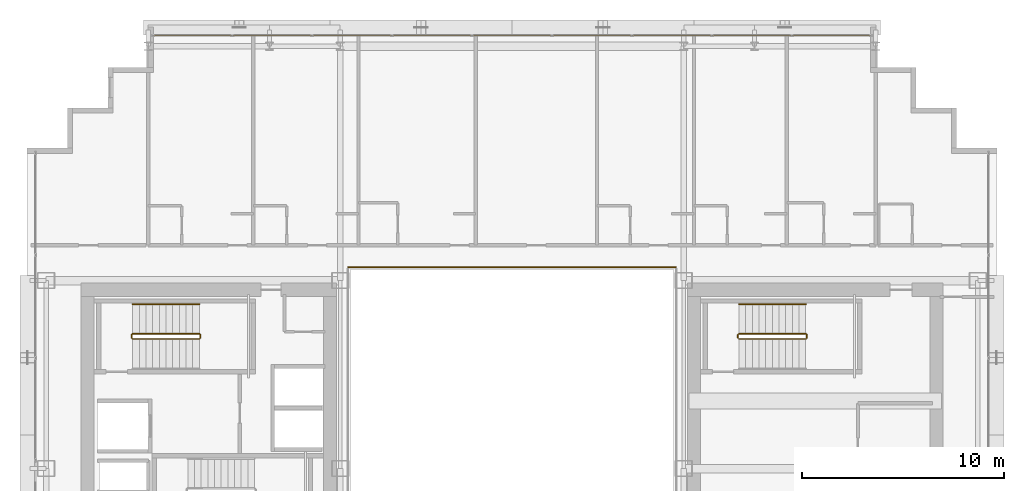
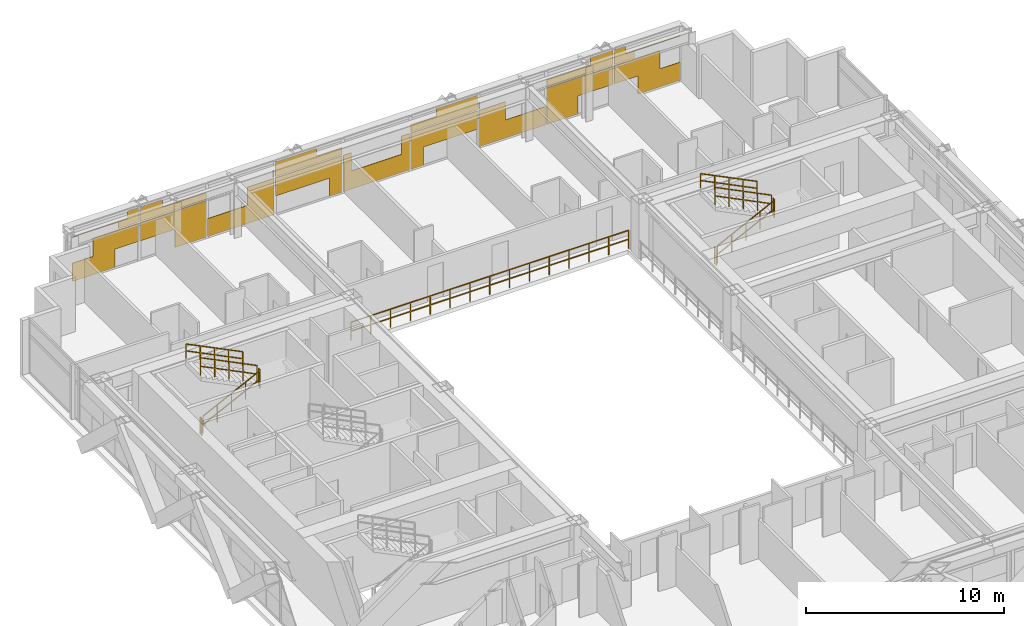
# One storey, part 36 of 36: 11 railings, 1 covering.
"""IFC4 building model written with IfcOpenShell, lengths in metres."""

from ifc_helpers import new_model, si_unit, direction, frame, origin, origin_2d, place, context, subcontext, project, spatial, rectangle, extrude, material, layer, layer_set, type_object, element, save


model = new_model("IFC4")

# Units and contexts
model_context = context("Model", 3, precision=1e-05, world=origin(), true_north=direction((0.0, 1.0)))
body_context = subcontext(model_context, "Body", "Model", "MODEL_VIEW")
ifc_project = project(units=[si_unit("LENGTHUNIT", "METRE"), si_unit("AREAUNIT", "SQUARE_METRE"), si_unit("VOLUMEUNIT", "CUBIC_METRE"), si_unit("PLANEANGLEUNIT", "RADIAN"), si_unit("MASSUNIT", "GRAM", prefix="KILO")], contexts=[model_context])

# Site, building, storey
site_placement = place(None, origin())
site = spatial("IfcSite", under=ifc_project, at=site_placement, CompositionType="ELEMENT")
building_placement = place(site_placement, origin())
building = spatial("IfcBuilding", under=site, at=building_placement, Name="Ocotamira Hotel", CompositionType="ELEMENT")
storey_placement = place(building_placement, frame((0.0, 0.0, 97.199951171875)))
storey = spatial("IfcBuildingStorey", under=building, at=storey_placement, Name="L23", CompositionType="ELEMENT", Elevation=97.199951171875)

# Covering
ifc_material_1 = material(Name="Insulated pale-metal aluminium spandrel panel", Category="aluminium")
ifc_layer = layer(ifc_material_1, 0.044921875)
ifc_layer_set = layer_set([ifc_layer], Name="Insulated pale-metal aluminium spandrel panel")
covering_type = type_object("IfcCoveringType", Name="COV-INFILL-45", PredefinedType="CLADDING", material=ifc_layer_set)
covering_placement = place(storey_placement, origin())
element("IfcCovering", 1, at=covering_placement, inside=storey, type_object=covering_type, Name="L23 Curtain Wall Infill CW-3 CW-L23-N", PredefinedType="CLADDING", context=body_context, shape_type="SweptSolid", body=[
    extrude(rectangle(XDim=2.464111328125, YDim=0.044921875, at=origin_2d()), frame((15.512451171875, 49.580078125, 0.07568359375), z_axis=(0.0, 0.0, 1.0), x_axis=(1.0, 0.0, 0.0)), (0.0, 0.0, 1.0), 1.11767578125),
    extrude(rectangle(XDim=2.650146484375, YDim=0.044921875, at=origin_2d()), frame((16.7900390625, 49.580078125, 1.1943359375), z_axis=(0.0, 0.0, 1.0), x_axis=(1.0, 0.0, 0.0)), (0.0, 0.0, 1.0), 1.117919921875),
    extrude(rectangle(XDim=3.834716796875, YDim=0.044921875, at=origin_2d()), frame((16.19775390625, 49.580078125, 2.78271484375), z_axis=(0.0, 0.0, 1.0), x_axis=(1.0, 0.0, 0.0)), (0.0, 0.0, 1.0), 0.0302734375),
    extrude(rectangle(XDim=1.157958984375, YDim=0.044921875, at=origin_2d()), frame((17.5361328125, 49.580078125, 2.38818359375), z_axis=(0.0, 0.0, 1.0), x_axis=(1.0, 0.0, 0.0)), (0.0, 0.0, 1.0), 0.3935546875),
    extrude(rectangle(XDim=0.625732421875, YDim=0.044921875, at=origin_2d()), frame((17.80224609375, 49.580078125, 2.813720703125), z_axis=(0.0, 0.0, 1.0), x_axis=(1.0, 0.0, 0.0)), (0.0, 0.0, 1.0), 0.470703125),
    extrude(rectangle(XDim=3.87451171875, YDim=0.044921875, at=origin_2d()), frame((20.13330078125, 49.580078125, 1.1943359375), z_axis=(0.0, 0.0, 1.0), x_axis=(1.0, 0.0, 0.0)), (0.0, 0.0, 1.0), 1.117919921875),
    extrude(rectangle(XDim=1.815185546875, YDim=0.044921875, at=origin_2d()), frame((21.1630859375, 49.580078125, 0.07568359375), z_axis=(0.0, 0.0, 1.0), x_axis=(1.0, 0.0, 0.0)), (0.0, 0.0, 1.0), 1.11767578125),
    extrude(rectangle(XDim=3.87451171875, YDim=0.044921875, at=origin_2d()), frame((20.13330078125, 49.580078125, 2.387939453125), z_axis=(0.0, 0.0, 1.0), x_axis=(1.0, 0.0, 0.0)), (0.0, 0.0, 1.0), 0.4248046875),
    extrude(rectangle(XDim=1.314697265625, YDim=0.044921875, at=origin_2d()), frame((18.853515625, 49.580078125, 2.813720703125), z_axis=(0.0, 0.0, 1.0), x_axis=(1.0, 0.0, 0.0)), (0.0, 0.0, 1.0), 0.470703125),
    extrude(rectangle(XDim=3.87451171875, YDim=0.044921875, at=origin_2d()), frame((24.0888671875, 49.580078125, 0.07568359375), z_axis=(0.0, 0.0, 1.0), x_axis=(1.0, 0.0, 0.0)), (0.0, 0.0, 1.0), 1.11767578125),
    extrude(rectangle(XDim=1.561279296875, YDim=0.044921875, at=origin_2d()), frame((25.24560546875, 49.580078125, 1.1943359375), z_axis=(0.0, 0.0, 1.0), x_axis=(1.0, 0.0, 0.0)), (0.0, 0.0, 1.0), 1.117919921875),
    extrude(rectangle(XDim=0.069091796875, YDim=0.044921875, at=origin_2d()), frame((25.99169921875, 49.580078125, 2.387939453125), z_axis=(0.0, 0.0, 1.0), x_axis=(1.0, 0.0, 0.0)), (0.0, 0.0, 1.0), 0.4248046875),
    extrude(rectangle(XDim=3.87451171875, YDim=0.044921875, at=origin_2d()), frame((28.04443359375, 49.580078125, 1.1943359375), z_axis=(0.0, 0.0, 1.0), x_axis=(1.0, 0.0, 0.0)), (0.0, 0.0, 1.0), 1.117919921875),
    extrude(rectangle(XDim=0.726318359375, YDim=0.044921875, at=origin_2d()), frame((29.61865234375, 49.580078125, 0.07568359375), z_axis=(0.0, 0.0, 1.0), x_axis=(1.0, 0.0, 0.0)), (0.0, 0.0, 1.0), 1.11767578125),
    extrude(rectangle(XDim=3.87451171875, YDim=0.044921875, at=origin_2d()), frame((28.04443359375, 49.580078125, 2.387939453125), z_axis=(0.0, 0.0, 1.0), x_axis=(1.0, 0.0, 0.0)), (0.0, 0.0, 1.0), 0.4248046875),
    extrude(rectangle(XDim=2.403564453125, YDim=0.044921875, at=origin_2d()), frame((27.308837890625, 49.580078125, 2.813720703125), z_axis=(0.0, 0.0, 1.0), x_axis=(1.0, 0.0, 0.0)), (0.0, 0.0, 1.0), 0.470703125),
    extrude(rectangle(XDim=3.87451171875, YDim=0.044921875, at=origin_2d()), frame((32.0, 49.580078125, 0.07568359375), z_axis=(0.0, 0.0, 1.0), x_axis=(1.0, 0.0, 0.0)), (0.0, 0.0, 1.0), 1.11767578125),
    extrude(rectangle(XDim=0.472412109375, YDim=0.044921875, at=origin_2d()), frame((30.298828125, 49.580078125, 1.1943359375), z_axis=(0.0, 0.0, 1.0), x_axis=(1.0, 0.0, 0.0)), (0.0, 0.0, 1.0), 1.117919921875),
    extrude(rectangle(XDim=0.472412109375, YDim=0.044921875, at=origin_2d()), frame((33.701171875, 49.580078125, 1.1943359375), z_axis=(0.0, 0.0, 1.0), x_axis=(1.0, 0.0, 0.0)), (0.0, 0.0, 1.0), 1.117919921875),
    extrude(rectangle(XDim=0.726318359375, YDim=0.044921875, at=origin_2d()), frame((34.38134765625, 49.580078125, 0.07568359375), z_axis=(0.0, 0.0, 1.0), x_axis=(1.0, 0.0, 0.0)), (0.0, 0.0, 1.0), 1.11767578125),
    extrude(rectangle(XDim=3.87451171875, YDim=0.044921875, at=origin_2d()), frame((35.95556640625, 49.580078125, 1.1943359375), z_axis=(0.0, 0.0, 1.0), x_axis=(1.0, 0.0, 0.0)), (0.0, 0.0, 1.0), 1.117919921875),
    extrude(rectangle(XDim=3.87451171875, YDim=0.044921875, at=origin_2d()), frame((35.95556640625, 49.580078125, 2.387939453125), z_axis=(0.0, 0.0, 1.0), x_axis=(1.0, 0.0, 0.0)), (0.0, 0.0, 1.0), 0.4248046875),
    extrude(rectangle(XDim=2.403564453125, YDim=0.044921875, at=origin_2d()), frame((36.691162109375, 49.580078125, 2.813720703125), z_axis=(0.0, 0.0, 1.0), x_axis=(1.0, 0.0, 0.0)), (0.0, 0.0, 1.0), 0.470703125),
    extrude(rectangle(XDim=3.87451171875, YDim=0.044921875, at=origin_2d()), frame((39.9111328125, 49.580078125, 0.07568359375), z_axis=(0.0, 0.0, 1.0), x_axis=(1.0, 0.0, 0.0)), (0.0, 0.0, 1.0), 1.11767578125),
    extrude(rectangle(XDim=1.561279296875, YDim=0.044921875, at=origin_2d()), frame((38.75439453125, 49.580078125, 1.1943359375), z_axis=(0.0, 0.0, 1.0), x_axis=(1.0, 0.0, 0.0)), (0.0, 0.0, 1.0), 1.117919921875),
    extrude(rectangle(XDim=0.069091796875, YDim=0.044921875, at=origin_2d()), frame((38.00830078125, 49.580078125, 2.387939453125), z_axis=(0.0, 0.0, 1.0), x_axis=(1.0, 0.0, 0.0)), (0.0, 0.0, 1.0), 0.4248046875),
    extrude(rectangle(XDim=1.815185546875, YDim=0.044921875, at=origin_2d()), frame((42.8369140625, 49.580078125, 0.07568359375), z_axis=(0.0, 0.0, 1.0), x_axis=(1.0, 0.0, 0.0)), (0.0, 0.0, 1.0), 1.11767578125),
    extrude(rectangle(XDim=3.87451171875, YDim=0.044921875, at=origin_2d()), frame((43.86669921875, 49.580078125, 1.1943359375), z_axis=(0.0, 0.0, 1.0), x_axis=(1.0, 0.0, 0.0)), (0.0, 0.0, 1.0), 1.117919921875),
    extrude(rectangle(XDim=3.87451171875, YDim=0.044921875, at=origin_2d()), frame((43.86669921875, 49.580078125, 2.387939453125), z_axis=(0.0, 0.0, 1.0), x_axis=(1.0, 0.0, 0.0)), (0.0, 0.0, 1.0), 0.4248046875),
    extrude(rectangle(XDim=1.314697265625, YDim=0.044921875, at=origin_2d()), frame((45.146484375, 49.580078125, 2.813720703125), z_axis=(0.0, 0.0, 1.0), x_axis=(1.0, 0.0, 0.0)), (0.0, 0.0, 1.0), 0.470703125),
    extrude(rectangle(XDim=2.650146484375, YDim=0.044921875, at=origin_2d()), frame((47.2099609375, 49.580078125, 1.1943359375), z_axis=(0.0, 0.0, 1.0), x_axis=(1.0, 0.0, 0.0)), (0.0, 0.0, 1.0), 1.117919921875),
    extrude(rectangle(XDim=2.464111328125, YDim=0.044921875, at=origin_2d()), frame((48.487548828125, 49.580078125, 0.07568359375), z_axis=(0.0, 0.0, 1.0), x_axis=(1.0, 0.0, 0.0)), (0.0, 0.0, 1.0), 1.11767578125),
    extrude(rectangle(XDim=1.157958984375, YDim=0.044921875, at=origin_2d()), frame((46.4638671875, 49.580078125, 2.38818359375), z_axis=(0.0, 0.0, 1.0), x_axis=(1.0, 0.0, 0.0)), (0.0, 0.0, 1.0), 0.3935546875),
    extrude(rectangle(XDim=3.834716796875, YDim=0.044921875, at=origin_2d()), frame((47.80224609375, 49.580078125, 2.78271484375), z_axis=(0.0, 0.0, 1.0), x_axis=(1.0, 0.0, 0.0)), (0.0, 0.0, 1.0), 0.0302734375),
    extrude(rectangle(XDim=0.625732421875, YDim=0.044921875, at=origin_2d()), frame((46.19775390625, 49.580078125, 2.813720703125), z_axis=(0.0, 0.0, 1.0), x_axis=(1.0, 0.0, 0.0)), (0.0, 0.0, 1.0), 0.470703125),
])

# Railings
ifc_material_2 = material(Name="Painted steel stair guardrail", Category="steel")
railing_type_1 = type_object("IfcRailingType", Name="RL-EDGE-1150", PredefinedType="GUARDRAIL", material=ifc_material_2)
railing_1_placement = place(storey_placement, frame((40.10009765625, 38.1201171875, 0.0)))
element("IfcRailing", 2, at=railing_1_placement, inside=storey, type_object=railing_type_1, Name="L23 Central Atrium Edge Guardrail N", PredefinedType="GUARDRAIL", context=body_context, shape_type="SweptSolid", body=[
    extrude(rectangle(XDim=0.048095703125, YDim=0.048095703125, at=origin_2d()), frame((0.0, 0.0, 1.1259765625), z_axis=(-1.0, 0.0, 0.0), x_axis=(0.0, -1.0, 0.0)), (0.0, 0.0, 1.0), 16.2001953125),
    extrude(rectangle(XDim=0.048095703125, YDim=0.048095703125, at=origin_2d()), frame((0.0, 0.0, 0.574951171875), z_axis=(-1.0, 0.0, 0.0), x_axis=(0.0, -1.0, 0.0)), (0.0, 0.0, 1.0), 16.2001953125),
    extrude(rectangle(XDim=0.0419921875, YDim=0.0419921875, at=origin_2d()), origin(), (0.0, 0.0, 1.0), 1.101806640625),
    extrude(rectangle(XDim=0.0419921875, YDim=0.0419921875, at=origin_2d()), frame((-1.1572265625, 0.0, 0.0)), (0.0, 0.0, 1.0), 1.101806640625),
    extrude(rectangle(XDim=0.0419921875, YDim=0.0419921875, at=origin_2d()), frame((-2.314208984375, 0.0, 0.0)), (0.0, 0.0, 1.0), 1.101806640625),
    extrude(rectangle(XDim=0.0419921875, YDim=0.0419921875, at=origin_2d()), frame((-3.471435546875, 0.0, 0.0)), (0.0, 0.0, 1.0), 1.101806640625),
    extrude(rectangle(XDim=0.0419921875, YDim=0.0419921875, at=origin_2d()), frame((-4.628662109375, 0.0, 0.0)), (0.0, 0.0, 1.0), 1.101806640625),
    extrude(rectangle(XDim=0.0419921875, YDim=0.0419921875, at=origin_2d()), frame((-5.785888671875, 0.0, 0.0)), (0.0, 0.0, 1.0), 1.101806640625),
    extrude(rectangle(XDim=0.0419921875, YDim=0.0419921875, at=origin_2d()), frame((-6.94287109375, 0.0, 0.0)), (0.0, 0.0, 1.0), 1.101806640625),
    extrude(rectangle(XDim=0.0419921875, YDim=0.0419921875, at=origin_2d()), frame((-8.10009765625, 0.0, 0.0)), (0.0, 0.0, 1.0), 1.101806640625),
    extrude(rectangle(XDim=0.0419921875, YDim=0.0419921875, at=origin_2d()), frame((-9.25732421875, 0.0, 0.0)), (0.0, 0.0, 1.0), 1.101806640625),
    extrude(rectangle(XDim=0.0419921875, YDim=0.0419921875, at=origin_2d()), frame((-10.414306640625, 0.0, 0.0)), (0.0, 0.0, 1.0), 1.101806640625),
    extrude(rectangle(XDim=0.0419921875, YDim=0.0419921875, at=origin_2d()), frame((-11.571533203125, 0.0, 0.0)), (0.0, 0.0, 1.0), 1.101806640625),
    extrude(rectangle(XDim=0.0419921875, YDim=0.0419921875, at=origin_2d()), frame((-12.728759765625, 0.0, 0.0)), (0.0, 0.0, 1.0), 1.101806640625),
    extrude(rectangle(XDim=0.0419921875, YDim=0.0419921875, at=origin_2d()), frame((-13.885986328125, 0.0, 0.0)), (0.0, 0.0, 1.0), 1.101806640625),
    extrude(rectangle(XDim=0.0419921875, YDim=0.0419921875, at=origin_2d()), frame((-15.04296875, 0.0, 0.0)), (0.0, 0.0, 1.0), 1.101806640625),
    extrude(rectangle(XDim=0.0419921875, YDim=0.0419921875, at=origin_2d()), frame((-16.2001953125, 0.0, 0.0)), (0.0, 0.0, 1.0), 1.101806640625),
])
ifc_material_3 = material(Name="Brushed stainless steel handrail", Category="steel")
railing_type_2 = type_object("IfcRailingType", Name="RL-HAND-900", PredefinedType="HANDRAIL", material=ifc_material_3)
for number, where, name in (
    (3, (16.530029296875, 36.280029296875, 2.12744140625), "L23 ST-2 stair handrail 2"),
    (4, (46.530029296875, 36.280029296875, 2.12744140625), "L23 ST-4 stair handrail 2"),
):
    element("IfcRailing", number, at=place(storey_placement, frame(where)), inside=storey, type_object=railing_type_2, Name=name, PredefinedType="HANDRAIL", context=body_context, shape_type="SweptSolid", body=[
        extrude(rectangle(XDim=0.048095703125, YDim=0.048095703125, at=origin_2d()), frame((0.0, 0.0, 0.8759765625), z_axis=(-0.895920123917, 0.0, 0.444215186098), x_axis=(0.0, -1.0, 0.0)), (0.0, 0.0, 1.0), 3.683349609375),
        extrude(rectangle(XDim=0.048095703125, YDim=0.048095703125, at=origin_2d()), frame((0.0, 0.0, 0.449951171875), z_axis=(-0.895920123917, 0.0, 0.444215186098), x_axis=(0.0, -1.0, 0.0)), (0.0, 0.0, 1.0), 3.683349609375),
        extrude(rectangle(XDim=0.0419921875, YDim=0.0419921875, at=origin_2d()), origin(), (0.0, 0.0, 1.0), 0.851806640625),
        extrude(rectangle(XDim=0.0419921875, YDim=0.0419921875, at=origin_2d()), frame((-0.824951171875, 0.0, 0.4091796875)), (0.0, 0.0, 1.0), 0.851806640625),
        extrude(rectangle(XDim=0.0419921875, YDim=0.0419921875, at=origin_2d()), frame((-1.64990234375, 0.0, 0.818115234375)), (0.0, 0.0, 1.0), 0.851806640625),
        extrude(rectangle(XDim=0.0419921875, YDim=0.0419921875, at=origin_2d()), frame((-2.47509765625, 0.0, 1.22705078125)), (0.0, 0.0, 1.0), 0.851806640625),
        extrude(rectangle(XDim=0.0419921875, YDim=0.0419921875, at=origin_2d()), frame((-3.300048828125, 0.0, 1.63623046875)), (0.0, 0.0, 1.0), 0.851806640625),
    ])
railing_type_3 = type_object("IfcRailingType", Name="RL-STAIR-1100", PredefinedType="GUARDRAIL", material=ifc_material_2)
railing_2_placement = place(storey_placement, frame((13.22998046875, 34.56005859375, 0.16357421875)))
element("IfcRailing", 5, at=railing_2_placement, inside=storey, type_object=railing_type_3, Name="L23 ST-2 stair guard 1", PredefinedType="GUARDRAIL", context=body_context, shape_type="SweptSolid", body=[
    extrude(rectangle(XDim=0.048095703125, YDim=0.048095703125, at=origin_2d()), frame((0.0, 0.0, 1.076171875), z_axis=(0.895893744519, 0.0, 0.4442683857), x_axis=(0.0, 1.0, 0.0)), (0.0, 0.0, 1.0), 3.68359375),
    extrude(rectangle(XDim=0.048095703125, YDim=0.048095703125, at=origin_2d()), frame((0.0, 0.0, 0.550048828125), z_axis=(0.895893744519, 0.0, 0.4442683857), x_axis=(0.0, 1.0, 0.0)), (0.0, 0.0, 1.0), 3.68359375),
    extrude(rectangle(XDim=0.0419921875, YDim=0.0419921875, at=origin_2d()), origin(), (0.0, 0.0, 1.0), 1.052001953125),
    extrude(rectangle(XDim=0.0419921875, YDim=0.0419921875, at=origin_2d()), frame((0.824951171875, 0.0, 0.4091796875)), (0.0, 0.0, 1.0), 1.052001953125),
    extrude(rectangle(XDim=0.0419921875, YDim=0.0419921875, at=origin_2d()), frame((1.64990234375, 0.0, 0.818359375)), (0.0, 0.0, 1.0), 1.052001953125),
    extrude(rectangle(XDim=0.0419921875, YDim=0.0419921875, at=origin_2d()), frame((2.47509765625, 0.0, 1.227294921875)), (0.0, 0.0, 1.0), 1.052001953125),
    extrude(rectangle(XDim=0.0419921875, YDim=0.0419921875, at=origin_2d()), frame((3.300048828125, 0.0, 1.636474609375)), (0.0, 0.0, 1.0), 1.052001953125),
])
railing_3_placement = place(storey_placement, frame((16.580078125, 34.610107421875, 1.800048828125)))
element("IfcRailing", 6, at=railing_3_placement, inside=storey, type_object=railing_type_3, Name="L23 ST-2 stair guard 2", PredefinedType="GUARDRAIL", context=body_context, shape_type="SweptSolid", body=[
    extrude(rectangle(XDim=0.048095703125, YDim=0.048095703125, at=origin_2d()), frame((0.0, 0.0, 1.076171875), z_axis=(0.0, 1.0, 0.0), x_axis=(-1.0, 0.0, 0.0)), (0.0, 0.0, 1.0), 0.159912109375),
    extrude(rectangle(XDim=0.048095703125, YDim=0.048095703125, at=origin_2d()), frame((0.0, 0.0, 0.550048828125), z_axis=(0.0, 1.0, 0.0), x_axis=(-1.0, 0.0, 0.0)), (0.0, 0.0, 1.0), 0.159912109375),
    extrude(rectangle(XDim=0.0419921875, YDim=0.0419921875, at=origin_2d()), origin(), (0.0, 0.0, 1.0), 1.052001953125),
    extrude(rectangle(XDim=0.0419921875, YDim=0.0419921875, at=origin_2d()), frame((0.0, 0.159912109375, 0.0)), (0.0, 0.0, 1.0), 1.052001953125),
])
railing_4_placement = place(storey_placement, frame((16.530029296875, 34.820068359375, 1.963623046875)))
element("IfcRailing", 7, at=railing_4_placement, inside=storey, type_object=railing_type_3, Name="L23 ST-2 stair guard 3", PredefinedType="GUARDRAIL", context=body_context, shape_type="SweptSolid", body=[
    extrude(rectangle(XDim=0.048095703125, YDim=0.048095703125, at=origin_2d()), frame((0.0, 0.0, 1.076171875), z_axis=(-0.895893744519, 0.0, 0.4442683857), x_axis=(0.0, -1.0, 0.0)), (0.0, 0.0, 1.0), 3.68359375),
    extrude(rectangle(XDim=0.048095703125, YDim=0.048095703125, at=origin_2d()), frame((0.0, 0.0, 0.550048828125), z_axis=(-0.895893744519, 0.0, 0.4442683857), x_axis=(0.0, -1.0, 0.0)), (0.0, 0.0, 1.0), 3.68359375),
    extrude(rectangle(XDim=0.0419921875, YDim=0.0419921875, at=origin_2d()), origin(), (0.0, 0.0, 1.0), 1.052001953125),
    extrude(rectangle(XDim=0.0419921875, YDim=0.0419921875, at=origin_2d()), frame((-0.824951171875, 0.0, 0.4091796875)), (0.0, 0.0, 1.0), 1.052001953125),
    extrude(rectangle(XDim=0.0419921875, YDim=0.0419921875, at=origin_2d()), frame((-1.64990234375, 0.0, 0.818359375)), (0.0, 0.0, 1.0), 1.052001953125),
    extrude(rectangle(XDim=0.0419921875, YDim=0.0419921875, at=origin_2d()), frame((-2.47509765625, 0.0, 1.227294921875)), (0.0, 0.0, 1.0), 1.052001953125),
    extrude(rectangle(XDim=0.0419921875, YDim=0.0419921875, at=origin_2d()), frame((-3.300048828125, 0.0, 1.636474609375)), (0.0, 0.0, 1.0), 1.052001953125),
])
railing_5_placement = place(storey_placement, frame((13.179931640625, 34.610107421875, 0.0)))
element("IfcRailing", 8, at=railing_5_placement, inside=storey, type_object=railing_type_3, Name="L23 ST-2 stair guard 4", PredefinedType="GUARDRAIL", context=body_context, shape_type="SweptSolid", body=[
    extrude(rectangle(XDim=0.048095703125, YDim=0.048095703125, at=origin_2d()), frame((0.0, 0.0, 1.076171875), z_axis=(0.0, 1.0, 0.0), x_axis=(-1.0, 0.0, 0.0)), (0.0, 0.0, 1.0), 0.159912109375),
    extrude(rectangle(XDim=0.048095703125, YDim=0.048095703125, at=origin_2d()), frame((0.0, 0.0, 0.550048828125), z_axis=(0.0, 1.0, 0.0), x_axis=(-1.0, 0.0, 0.0)), (0.0, 0.0, 1.0), 0.159912109375),
    extrude(rectangle(XDim=0.0419921875, YDim=0.0419921875, at=origin_2d()), origin(), (0.0, 0.0, 1.0), 1.052001953125),
    extrude(rectangle(XDim=0.0419921875, YDim=0.0419921875, at=origin_2d()), frame((0.0, 0.159912109375, 0.0)), (0.0, 0.0, 1.0), 1.052001953125),
])
railing_6_placement = place(storey_placement, frame((43.22998046875, 34.56005859375, 0.16357421875)))
element("IfcRailing", 9, at=railing_6_placement, inside=storey, type_object=railing_type_3, Name="L23 ST-4 stair guard 1", PredefinedType="GUARDRAIL", context=body_context, shape_type="SweptSolid", body=[
    extrude(rectangle(XDim=0.048095703125, YDim=0.048095703125, at=origin_2d()), frame((0.0, 0.0, 1.076171875), z_axis=(0.895893744519, 0.0, 0.4442683857), x_axis=(0.0, 1.0, 0.0)), (0.0, 0.0, 1.0), 3.68359375),
    extrude(rectangle(XDim=0.048095703125, YDim=0.048095703125, at=origin_2d()), frame((0.0, 0.0, 0.550048828125), z_axis=(0.895893744519, 0.0, 0.4442683857), x_axis=(0.0, 1.0, 0.0)), (0.0, 0.0, 1.0), 3.68359375),
    extrude(rectangle(XDim=0.0419921875, YDim=0.0419921875, at=origin_2d()), origin(), (0.0, 0.0, 1.0), 1.052001953125),
    extrude(rectangle(XDim=0.0419921875, YDim=0.0419921875, at=origin_2d()), frame((0.824951171875, 0.0, 0.4091796875)), (0.0, 0.0, 1.0), 1.052001953125),
    extrude(rectangle(XDim=0.0419921875, YDim=0.0419921875, at=origin_2d()), frame((1.64990234375, 0.0, 0.818359375)), (0.0, 0.0, 1.0), 1.052001953125),
    extrude(rectangle(XDim=0.0419921875, YDim=0.0419921875, at=origin_2d()), frame((2.47509765625, 0.0, 1.227294921875)), (0.0, 0.0, 1.0), 1.052001953125),
    extrude(rectangle(XDim=0.0419921875, YDim=0.0419921875, at=origin_2d()), frame((3.300048828125, 0.0, 1.636474609375)), (0.0, 0.0, 1.0), 1.052001953125),
])
railing_7_placement = place(storey_placement, frame((46.580078125, 34.610107421875, 1.800048828125)))
element("IfcRailing", 10, at=railing_7_placement, inside=storey, type_object=railing_type_3, Name="L23 ST-4 stair guard 2", PredefinedType="GUARDRAIL", context=body_context, shape_type="SweptSolid", body=[
    extrude(rectangle(XDim=0.048095703125, YDim=0.048095703125, at=origin_2d()), frame((0.0, 0.0, 1.076171875), z_axis=(0.0, 1.0, 0.0), x_axis=(-1.0, 0.0, 0.0)), (0.0, 0.0, 1.0), 0.159912109375),
    extrude(rectangle(XDim=0.048095703125, YDim=0.048095703125, at=origin_2d()), frame((0.0, 0.0, 0.550048828125), z_axis=(0.0, 1.0, 0.0), x_axis=(-1.0, 0.0, 0.0)), (0.0, 0.0, 1.0), 0.159912109375),
    extrude(rectangle(XDim=0.0419921875, YDim=0.0419921875, at=origin_2d()), origin(), (0.0, 0.0, 1.0), 1.052001953125),
    extrude(rectangle(XDim=0.0419921875, YDim=0.0419921875, at=origin_2d()), frame((0.0, 0.159912109375, 0.0)), (0.0, 0.0, 1.0), 1.052001953125),
])
railing_8_placement = place(storey_placement, frame((46.530029296875, 34.820068359375, 1.963623046875)))
element("IfcRailing", 11, at=railing_8_placement, inside=storey, type_object=railing_type_3, Name="L23 ST-4 stair guard 3", PredefinedType="GUARDRAIL", context=body_context, shape_type="SweptSolid", body=[
    extrude(rectangle(XDim=0.048095703125, YDim=0.048095703125, at=origin_2d()), frame((0.0, 0.0, 1.076171875), z_axis=(-0.895893744519, 0.0, 0.4442683857), x_axis=(0.0, -1.0, 0.0)), (0.0, 0.0, 1.0), 3.68359375),
    extrude(rectangle(XDim=0.048095703125, YDim=0.048095703125, at=origin_2d()), frame((0.0, 0.0, 0.550048828125), z_axis=(-0.895893744519, 0.0, 0.4442683857), x_axis=(0.0, -1.0, 0.0)), (0.0, 0.0, 1.0), 3.68359375),
    extrude(rectangle(XDim=0.0419921875, YDim=0.0419921875, at=origin_2d()), origin(), (0.0, 0.0, 1.0), 1.052001953125),
    extrude(rectangle(XDim=0.0419921875, YDim=0.0419921875, at=origin_2d()), frame((-0.824951171875, 0.0, 0.4091796875)), (0.0, 0.0, 1.0), 1.052001953125),
    extrude(rectangle(XDim=0.0419921875, YDim=0.0419921875, at=origin_2d()), frame((-1.64990234375, 0.0, 0.818359375)), (0.0, 0.0, 1.0), 1.052001953125),
    extrude(rectangle(XDim=0.0419921875, YDim=0.0419921875, at=origin_2d()), frame((-2.47509765625, 0.0, 1.227294921875)), (0.0, 0.0, 1.0), 1.052001953125),
    extrude(rectangle(XDim=0.0419921875, YDim=0.0419921875, at=origin_2d()), frame((-3.300048828125, 0.0, 1.636474609375)), (0.0, 0.0, 1.0), 1.052001953125),
])
railing_9_placement = place(storey_placement, frame((43.179931640625, 34.610107421875, 0.0)))
element("IfcRailing", 12, at=railing_9_placement, inside=storey, type_object=railing_type_3, Name="L23 ST-4 stair guard 4", PredefinedType="GUARDRAIL", context=body_context, shape_type="SweptSolid", body=[
    extrude(rectangle(XDim=0.048095703125, YDim=0.048095703125, at=origin_2d()), frame((0.0, 0.0, 1.076171875), z_axis=(0.0, 1.0, 0.0), x_axis=(-1.0, 0.0, 0.0)), (0.0, 0.0, 1.0), 0.159912109375),
    extrude(rectangle(XDim=0.048095703125, YDim=0.048095703125, at=origin_2d()), frame((0.0, 0.0, 0.550048828125), z_axis=(0.0, 1.0, 0.0), x_axis=(-1.0, 0.0, 0.0)), (0.0, 0.0, 1.0), 0.159912109375),
    extrude(rectangle(XDim=0.0419921875, YDim=0.0419921875, at=origin_2d()), origin(), (0.0, 0.0, 1.0), 1.052001953125),
    extrude(rectangle(XDim=0.0419921875, YDim=0.0419921875, at=origin_2d()), frame((0.0, 0.159912109375, 0.0)), (0.0, 0.0, 1.0), 1.052001953125),
])

save(model, "model.ifc")
